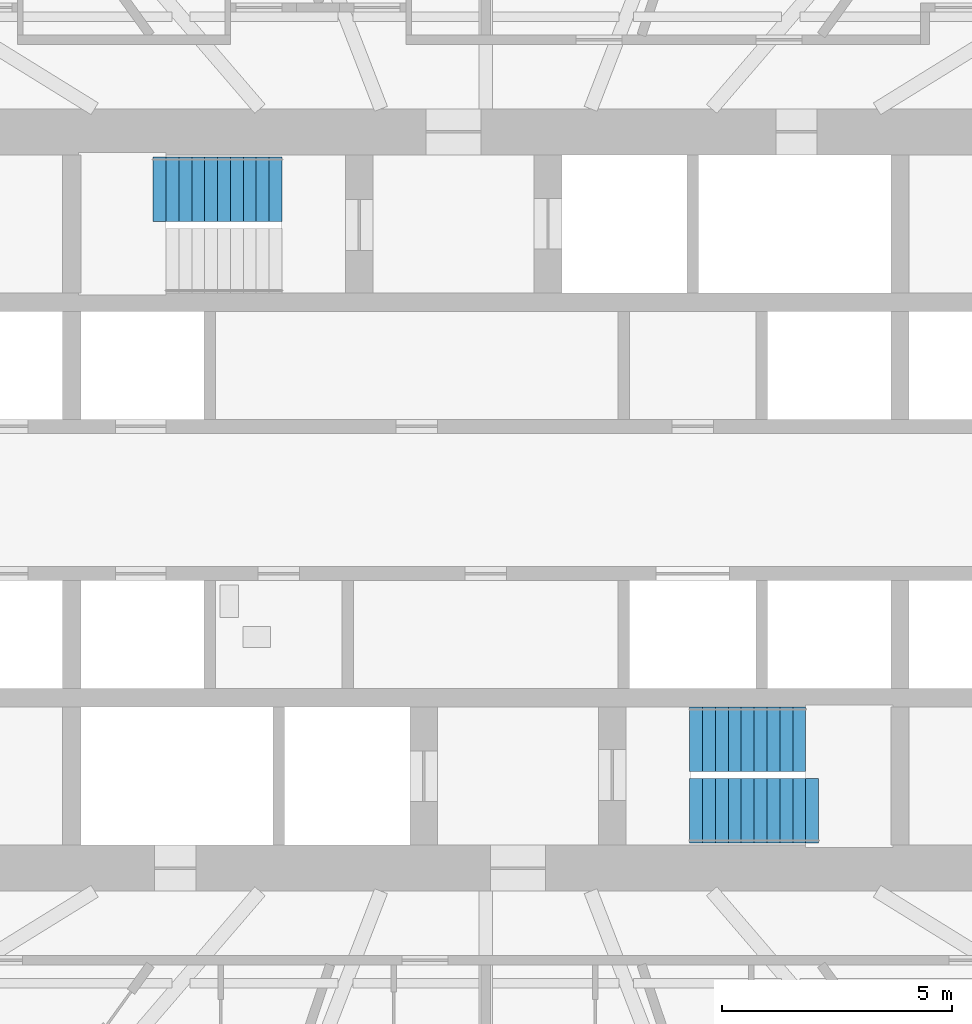
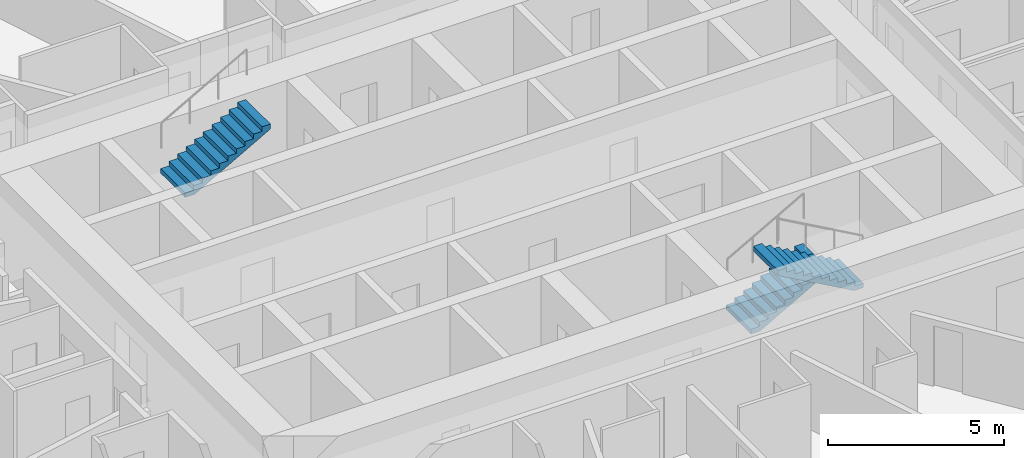
# One storey, part 14 of 16: 3 stair flights, 2 elements without a shape of their own.
"""IFC4 building model written with IfcOpenShell, lengths in metres."""

from ifc_helpers import new_model, si_unit, direction, frame, origin, place, context, subcontext, project, spatial, polyline, outline, extrude, material, type_object, element, aggregate, save


model = new_model("IFC4")

# Units and contexts
model_context = context("Model", 3, precision=1e-05, world=origin(), true_north=direction((0.0, 1.0)))
body_context = subcontext(model_context, "Body", "Model", "MODEL_VIEW")
ifc_project = project(units=[si_unit("LENGTHUNIT", "METRE"), si_unit("AREAUNIT", "SQUARE_METRE"), si_unit("VOLUMEUNIT", "CUBIC_METRE"), si_unit("PLANEANGLEUNIT", "RADIAN"), si_unit("MASSUNIT", "GRAM", prefix="KILO")], contexts=[model_context])

# Site, building, storey
site_placement = place(None, origin())
site = spatial("IfcSite", under=ifc_project, at=site_placement, CompositionType="ELEMENT")
building_placement = place(site_placement, origin())
building = spatial("IfcBuilding", under=site, at=building_placement, Name="Hankou Lantern Tower", CompositionType="ELEMENT")
storey_placement = place(building_placement, frame((0.0, 0.0, 73.800048828125)))
storey = spatial("IfcBuildingStorey", under=building, at=storey_placement, Name="L18", CompositionType="ELEMENT", Elevation=73.800048828125)

# Stair, stair flight
ifc_material_1 = material(Name="Concrete C40", Category="concrete")
stair_type = type_object("IfcStairType", Name="ST33 CORE STAIR 3300 RISE", PredefinedType="HALF_TURN_STAIR", material=ifc_material_1)
stair_1_placement = place(storey_placement, origin())
stair_1 = element("IfcStair", 1, at=stair_1_placement, inside=storey, type_object=stair_type, Name="Stair STB L18", PredefinedType="HALF_TURN_STAIR")
ifc_material_2 = material(Name="Concrete C40", Category="concrete")
stair_flight_type_1 = type_object("IfcStairFlightType", Name="CF10 CORE STAIR FLIGHT 1400 X 10 RISERS", PredefinedType="STRAIGHT", material=ifc_material_2)
stair_flight_1_placement = place(storey_placement, frame((4.429931640625, -5.199951171875, 0.0), z_axis=(0.0, 0.0, 1.0), x_axis=(1.0, 0.0, 0.0)))
stair_flight_1 = element("IfcStairFlight", 2, at=stair_flight_1_placement, type_object=stair_flight_type_1, Name="STB flight 1", NumberOfRisers=10, NumberOfTreads=9, PredefinedType="STRAIGHT", RiserHeight=0.157142857, TreadLength=0.28, context=body_context, shape_type="SweptSolid", body=[
    extrude(outline(polyline([(0.0, 0.0), (0.0, 0.1572265625), (0.280029296875, 0.1572265625), (0.280029296875, 0.314208984375), (0.56005859375, 0.314208984375), (0.56005859375, 0.471435546875), (0.840087890625, 0.471435546875), (0.840087890625, 0.628662109375), (1.1201171875, 0.628662109375), (1.1201171875, 0.78564453125), (1.39990234375, 0.78564453125), (1.39990234375, 0.94287109375), (1.679931640625, 0.94287109375), (1.679931640625, 1.10009765625), (1.9599609375, 1.10009765625), (1.9599609375, 1.257080078125), (2.239990234375, 1.257080078125), (2.239990234375, 1.414306640625), (2.52001953125, 1.414306640625), (2.52001953125, 1.571533203125), (2.52001953125, 1.242431640625), (0.306396484375, 0.0), (0.0, 0.0)])), frame((0.0, 0.699951171875, 0.0), z_axis=(0.0, -1.0, 0.0), x_axis=(1.0, 0.0, 0.0)), (0.0, 0.0, 1.0), 1.39990234375),
])

stair_2_placement = place(storey_placement, origin())
stair_2 = element("IfcStair", 3, at=stair_2_placement, inside=storey, type_object=stair_type, Name="Stair STA L18", PredefinedType="HALF_TURN_STAIR")
ifc_material_3 = material(Name="Concrete C40", Category="concrete")
stair_flight_type_2 = type_object("IfcStairFlightType", Name="CF11 CORE STAIR FLIGHT 1400 X 11 RISERS", PredefinedType="STRAIGHT", material=ifc_material_3)
stair_flight_2_placement = place(storey_placement, frame((-7.22998046875, 6.75, 1.5712890625), z_axis=(0.0, 0.0, 1.0), x_axis=(1.0, 0.0, 0.0)))
stair_flight_2 = element("IfcStairFlight", 4, at=stair_flight_2_placement, type_object=stair_flight_type_2, Name="STA flight 2", NumberOfRisers=11, NumberOfTreads=10, PredefinedType="STRAIGHT", RiserHeight=0.157142857, TreadLength=0.28, context=body_context, shape_type="SweptSolid", body=[
    extrude(outline(polyline([(0.0, 0.0), (0.0, 0.1572265625), (0.280029296875, 0.1572265625), (0.280029296875, 0.314208984375), (0.56005859375, 0.314208984375), (0.56005859375, 0.471435546875), (0.840087890625, 0.471435546875), (0.840087890625, 0.628662109375), (1.1201171875, 0.628662109375), (1.1201171875, 0.78564453125), (1.39990234375, 0.78564453125), (1.39990234375, 0.94287109375), (1.679931640625, 0.94287109375), (1.679931640625, 1.10009765625), (1.9599609375, 1.10009765625), (1.9599609375, 1.257080078125), (2.239990234375, 1.257080078125), (2.239990234375, 1.414306640625), (2.52001953125, 1.414306640625), (2.52001953125, 1.571533203125), (2.800048828125, 1.571533203125), (2.800048828125, 1.728515625), (2.800048828125, 1.3994140625), (0.306396484375, 0.0), (0.0, 0.0)])), frame((0.0, 0.699951171875, 0.0), z_axis=(0.0, -1.0, 0.0), x_axis=(1.0, 0.0, 0.0)), (0.0, 0.0, 1.0), 1.39990234375),
])
aggregate(stair_2, [stair_flight_2])

# Stair flight
stair_flight_3_placement = place(storey_placement, frame((7.22998046875, -6.75, 1.5712890625), z_axis=(0.0, 0.0, 1.0), x_axis=(-1.0, 0.0, 0.0)))
stair_flight_3 = element("IfcStairFlight", 5, at=stair_flight_3_placement, type_object=stair_flight_type_2, Name="STB flight 2", NumberOfRisers=11, NumberOfTreads=10, PredefinedType="STRAIGHT", RiserHeight=0.157142857, TreadLength=0.28, context=body_context, shape_type="SweptSolid", body=[
    extrude(outline(polyline([(0.0, 0.0), (0.0, 0.1572265625), (0.280029296875, 0.1572265625), (0.280029296875, 0.314208984375), (0.56005859375, 0.314208984375), (0.56005859375, 0.471435546875), (0.840087890625, 0.471435546875), (0.840087890625, 0.628662109375), (1.1201171875, 0.628662109375), (1.1201171875, 0.78564453125), (1.39990234375, 0.78564453125), (1.39990234375, 0.94287109375), (1.679931640625, 0.94287109375), (1.679931640625, 1.10009765625), (1.9599609375, 1.10009765625), (1.9599609375, 1.257080078125), (2.239990234375, 1.257080078125), (2.239990234375, 1.414306640625), (2.52001953125, 1.414306640625), (2.52001953125, 1.571533203125), (2.800048828125, 1.571533203125), (2.800048828125, 1.728515625), (2.800048828125, 1.3994140625), (0.306396484375, 0.0), (0.0, 0.0)])), frame((0.0, 0.699951171875, 0.0), z_axis=(0.0, -1.0, 0.0), x_axis=(1.0, 0.0, 0.0)), (0.0, 0.0, 1.0), 1.39990234375),
])

aggregate(stair_1, [stair_flight_1, stair_flight_3])

save(model, "model.ifc")
